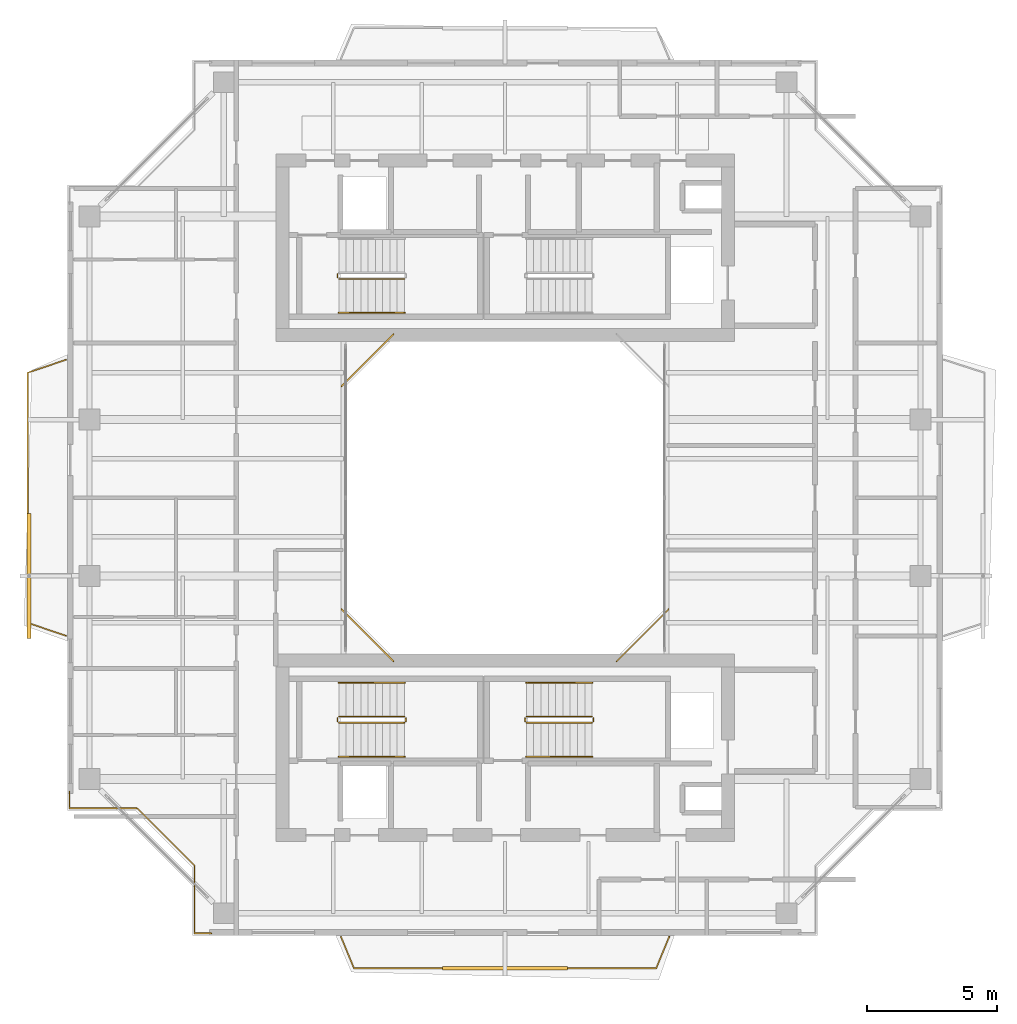
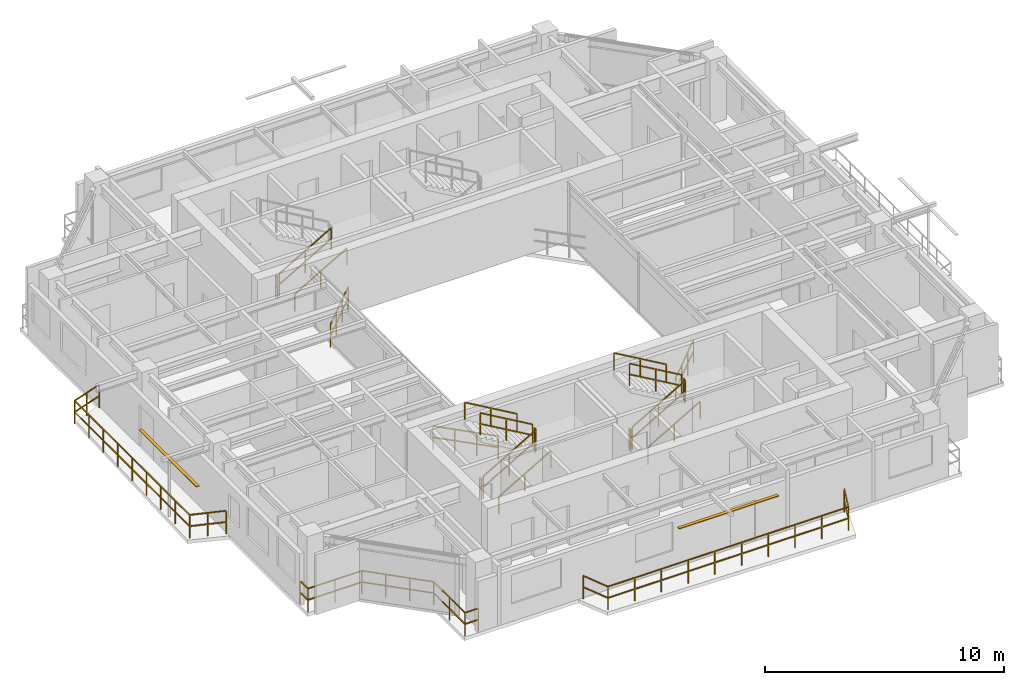
# One storey, part 14 of 16: 21 railings, 2 shading devices.
"""IFC4 building model written with IfcOpenShell, lengths in metres."""

from ifc_helpers import new_model, si_unit, direction, frame, origin, origin_2d, place, context, subcontext, project, spatial, rectangle, extrude, source, transform, mapped, material, material_profile, profile_set, type_object, element, save


model = new_model("IFC4")

# Units and contexts
model_context = context("Model", 3, precision=1e-05, world=origin(), true_north=direction((0.0, 1.0)))
body_context = subcontext(model_context, "Body", "Model", "MODEL_VIEW")
ifc_project = project(units=[si_unit("LENGTHUNIT", "METRE"), si_unit("AREAUNIT", "SQUARE_METRE"), si_unit("VOLUMEUNIT", "CUBIC_METRE"), si_unit("PLANEANGLEUNIT", "RADIAN"), si_unit("MASSUNIT", "GRAM", prefix="KILO"), si_unit("THERMODYNAMICTEMPERATUREUNIT", "KELVIN"), si_unit("POWERUNIT", "WATT")], contexts=[model_context])

# Site, building, storey
site_placement = place(None, origin())
site = spatial("IfcSite", under=ifc_project, at=site_placement, CompositionType="ELEMENT")
building_placement = place(site_placement, origin())
building = spatial("IfcBuilding", under=site, at=building_placement, Name="Qiaomeng Ring Towers", CompositionType="ELEMENT")
storey_placement = place(building_placement, frame((0.0, 0.0, 216.5)))
storey = spatial("IfcBuildingStorey", under=building, at=storey_placement, Name="L63", CompositionType="ELEMENT", Elevation=216.5)

# Railings
ifc_material_1 = material(Name="Low-E pale-green laminated safety glass", Category="glass")
railing_type_1 = type_object("IfcRailingType", Name="ARC-RL-BAL1", PredefinedType="BALUSTRADE", material=ifc_material_1)
railing_1_placement = place(storey_placement, frame((23.280029296875, 16.719970703125, 0.0)))
element("IfcRailing", 1, at=railing_1_placement, inside=storey, type_object=railing_type_1, Name="L63 Balustrade ARC-BAL-WELL1-L63-1", PredefinedType="BALUSTRADE", context=body_context, shape_type="SweptSolid", body=[
    extrude(rectangle(XDim=0.048095703125, YDim=0.048095703125, at=origin_2d()), frame((0.0, 0.0, 1.17578125), z_axis=(0.707106781187, 0.707106781187, 0.0), x_axis=(-0.707106781187, 0.707106781187, 0.0)), (0.0, 0.0, 1.0), 2.828369140625),
    extrude(rectangle(XDim=0.048095703125, YDim=0.048095703125, at=origin_2d()), frame((0.0, 0.0, 0.60009765625), z_axis=(0.707106781187, 0.707106781187, 0.0), x_axis=(-0.707106781187, 0.707106781187, 0.0)), (0.0, 0.0, 1.0), 2.828369140625),
    extrude(rectangle(XDim=0.0419921875, YDim=0.0419921875, at=origin_2d()), origin(), (0.0, 0.0, 1.0), 1.15185546875),
    extrude(rectangle(XDim=0.0419921875, YDim=0.0419921875, at=origin_2d()), frame((0.666748046875, 0.666748046875, 0.0)), (0.0, 0.0, 1.0), 1.15185546875),
    extrude(rectangle(XDim=0.0419921875, YDim=0.0419921875, at=origin_2d()), frame((1.333251953125, 1.333251953125, 0.0)), (0.0, 0.0, 1.0), 1.15185546875),
    extrude(rectangle(XDim=0.0419921875, YDim=0.0419921875, at=origin_2d()), frame((2.0, 2.0, 0.0)), (0.0, 0.0, 1.0), 1.15185546875),
])
railing_2_placement = place(storey_placement, frame((14.719970703125, 29.280029296875, 0.0)))
element("IfcRailing", 2, at=railing_2_placement, inside=storey, type_object=railing_type_1, Name="L63 Balustrade ARC-BAL-WELL1-L63-3", PredefinedType="BALUSTRADE", context=body_context, shape_type="SweptSolid", body=[
    extrude(rectangle(XDim=0.048095703125, YDim=0.048095703125, at=origin_2d()), frame((0.0, 0.0, 1.17578125), z_axis=(-0.707106781187, -0.707106781187, 0.0), x_axis=(0.707106781187, -0.707106781187, 0.0)), (0.0, 0.0, 1.0), 2.828369140625),
    extrude(rectangle(XDim=0.048095703125, YDim=0.048095703125, at=origin_2d()), frame((0.0, 0.0, 0.60009765625), z_axis=(-0.707106781187, -0.707106781187, 0.0), x_axis=(0.707106781187, -0.707106781187, 0.0)), (0.0, 0.0, 1.0), 2.828369140625),
    extrude(rectangle(XDim=0.0419921875, YDim=0.0419921875, at=origin_2d()), origin(), (0.0, 0.0, 1.0), 1.15185546875),
    extrude(rectangle(XDim=0.0419921875, YDim=0.0419921875, at=origin_2d()), frame((-0.666748046875, -0.666748046875, 0.0)), (0.0, 0.0, 1.0), 1.15185546875),
    extrude(rectangle(XDim=0.0419921875, YDim=0.0419921875, at=origin_2d()), frame((-1.333251953125, -1.333251953125, 0.0)), (0.0, 0.0, 1.0), 1.15185546875),
    extrude(rectangle(XDim=0.0419921875, YDim=0.0419921875, at=origin_2d()), frame((-2.0, -2.0, 0.0)), (0.0, 0.0, 1.0), 1.15185546875),
])
railing_3_placement = place(storey_placement, frame((12.719970703125, 18.719970703125, 0.0)))
element("IfcRailing", 3, at=railing_3_placement, inside=storey, type_object=railing_type_1, Name="L63 Balustrade ARC-BAL-WELL1-L63-4", PredefinedType="BALUSTRADE", context=body_context, shape_type="SweptSolid", body=[
    extrude(rectangle(XDim=0.048095703125, YDim=0.048095703125, at=origin_2d()), frame((0.0, 0.0, 1.17578125), z_axis=(0.707106781187, -0.707106781187, 0.0), x_axis=(0.707106781187, 0.707106781187, 0.0)), (0.0, 0.0, 1.0), 2.828369140625),
    extrude(rectangle(XDim=0.048095703125, YDim=0.048095703125, at=origin_2d()), frame((0.0, 0.0, 0.60009765625), z_axis=(0.707106781187, -0.707106781187, 0.0), x_axis=(0.707106781187, 0.707106781187, 0.0)), (0.0, 0.0, 1.0), 2.828369140625),
    extrude(rectangle(XDim=0.0419921875, YDim=0.0419921875, at=origin_2d()), origin(), (0.0, 0.0, 1.0), 1.15185546875),
    extrude(rectangle(XDim=0.0419921875, YDim=0.0419921875, at=origin_2d()), frame((0.666748046875, -0.666748046875, 0.0)), (0.0, 0.0, 1.0), 1.15185546875),
    extrude(rectangle(XDim=0.0419921875, YDim=0.0419921875, at=origin_2d()), frame((1.333251953125, -1.333251953125, 0.0)), (0.0, 0.0, 1.0), 1.15185546875),
    extrude(rectangle(XDim=0.0419921875, YDim=0.0419921875, at=origin_2d()), frame((2.0, -2.0, 0.0)), (0.0, 0.0, 1.0), 1.15185546875),
])
railing_4_placement = place(storey_placement, frame((2.280029296875, 11.72998046875, 0.0)))
element("IfcRailing", 4, at=railing_4_placement, inside=storey, type_object=railing_type_1, Name="L63 Balustrade ARC-BAL-NOTCH1-L63-SW", PredefinedType="BALUSTRADE", context=body_context, shape_type="SweptSolid", body=[
    extrude(rectangle(XDim=0.048095703125, YDim=0.048095703125, at=origin_2d()), frame((0.0, 0.0, 1.17578125), z_axis=(0.0, -1.0, 0.0), x_axis=(1.0, 0.0, 0.0)), (0.0, 0.0, 1.0), 0.64990234375),
    extrude(rectangle(XDim=0.048095703125, YDim=0.048095703125, at=origin_2d()), frame((0.0, 0.0, 0.60009765625), z_axis=(0.0, -1.0, 0.0), x_axis=(1.0, 0.0, 0.0)), (0.0, 0.0, 1.0), 0.64990234375),
    extrude(rectangle(XDim=0.048095703125, YDim=0.048095703125, at=origin_2d()), frame((0.0, -0.64990234375, 1.17578125), z_axis=(1.0, 0.0, 0.0), x_axis=(0.0, 1.0, 0.0)), (0.0, 0.0, 1.0), 2.599853515625),
    extrude(rectangle(XDim=0.048095703125, YDim=0.048095703125, at=origin_2d()), frame((0.0, -0.64990234375, 0.60009765625), z_axis=(1.0, 0.0, 0.0), x_axis=(0.0, 1.0, 0.0)), (0.0, 0.0, 1.0), 2.599853515625),
    extrude(rectangle(XDim=0.048095703125, YDim=0.048095703125, at=origin_2d()), frame((2.599853515625, -0.64990234375, 1.17578125), z_axis=(0.707106781187, -0.707106781187, 0.0), x_axis=(0.707106781187, 0.707106781187, 0.0)), (0.0, 0.0, 1.0), 3.111572265625),
    extrude(rectangle(XDim=0.048095703125, YDim=0.048095703125, at=origin_2d()), frame((2.599853515625, -0.64990234375, 0.60009765625), z_axis=(0.707106781187, -0.707106781187, 0.0), x_axis=(0.707106781187, 0.707106781187, 0.0)), (0.0, 0.0, 1.0), 3.111572265625),
    extrude(rectangle(XDim=0.048095703125, YDim=0.048095703125, at=origin_2d()), frame((4.800048828125, -2.85009765625, 1.17578125), z_axis=(0.0, -1.0, 0.0), x_axis=(1.0, 0.0, 0.0)), (0.0, 0.0, 1.0), 2.599853515625),
    extrude(rectangle(XDim=0.048095703125, YDim=0.048095703125, at=origin_2d()), frame((4.800048828125, -2.85009765625, 0.60009765625), z_axis=(0.0, -1.0, 0.0), x_axis=(1.0, 0.0, 0.0)), (0.0, 0.0, 1.0), 2.599853515625),
    extrude(rectangle(XDim=0.048095703125, YDim=0.048095703125, at=origin_2d()), frame((4.800048828125, -5.449951171875, 1.17578125), z_axis=(1.0, 0.0, 0.0), x_axis=(0.0, 1.0, 0.0)), (0.0, 0.0, 1.0), 0.64990234375),
    extrude(rectangle(XDim=0.048095703125, YDim=0.048095703125, at=origin_2d()), frame((4.800048828125, -5.449951171875, 0.60009765625), z_axis=(1.0, 0.0, 0.0), x_axis=(0.0, 1.0, 0.0)), (0.0, 0.0, 1.0), 0.64990234375),
    extrude(rectangle(XDim=0.0419921875, YDim=0.0419921875, at=origin_2d()), origin(), (0.0, 0.0, 1.0), 1.15185546875),
    extrude(rectangle(XDim=0.0419921875, YDim=0.0419921875, at=origin_2d()), frame((0.0, -0.64990234375, 0.0)), (0.0, 0.0, 1.0), 1.15185546875),
    extrude(rectangle(XDim=0.0419921875, YDim=0.0419921875, at=origin_2d()), frame((1.2998046875, -0.64990234375, 0.0)), (0.0, 0.0, 1.0), 1.15185546875),
    extrude(rectangle(XDim=0.0419921875, YDim=0.0419921875, at=origin_2d()), frame((2.599853515625, -0.64990234375, 0.0)), (0.0, 0.0, 1.0), 1.15185546875),
    extrude(rectangle(XDim=0.0419921875, YDim=0.0419921875, at=origin_2d()), frame((3.333251953125, -1.38330078125, 0.0)), (0.0, 0.0, 1.0), 1.15185546875),
    extrude(rectangle(XDim=0.0419921875, YDim=0.0419921875, at=origin_2d()), frame((4.066650390625, -2.11669921875, 0.0)), (0.0, 0.0, 1.0), 1.15185546875),
    extrude(rectangle(XDim=0.0419921875, YDim=0.0419921875, at=origin_2d()), frame((4.800048828125, -2.85009765625, 0.0)), (0.0, 0.0, 1.0), 1.15185546875),
    extrude(rectangle(XDim=0.0419921875, YDim=0.0419921875, at=origin_2d()), frame((4.800048828125, -4.14990234375, 0.0)), (0.0, 0.0, 1.0), 1.15185546875),
    extrude(rectangle(XDim=0.0419921875, YDim=0.0419921875, at=origin_2d()), frame((4.800048828125, -5.449951171875, 0.0)), (0.0, 0.0, 1.0), 1.15185546875),
    extrude(rectangle(XDim=0.0419921875, YDim=0.0419921875, at=origin_2d()), frame((5.449951171875, -5.449951171875, 0.0)), (0.0, 0.0, 1.0), 1.15185546875),
])
railing_5_placement = place(storey_placement, frame((12.699951171875, 6.14990234375, 0.0)))
element("IfcRailing", 5, at=railing_5_placement, inside=storey, type_object=railing_type_1, Name="L63 Balustrade ARC-BAL-L63-T1-S", PredefinedType="BALUSTRADE", context=body_context, shape_type="SweptSolid", body=[
    extrude(rectangle(XDim=0.048095703125, YDim=0.048095703125, at=origin_2d()), frame((0.0, 0.0, 1.17578125), z_axis=(0.381912525892, -0.924198475743, 0.0), x_axis=(0.924198475743, 0.381912525892, 0.0)), (0.0, 0.0, 1.0), 1.30908203125),
    extrude(rectangle(XDim=0.048095703125, YDim=0.048095703125, at=origin_2d()), frame((0.0, 0.0, 0.60009765625), z_axis=(0.381912525892, -0.924198475743, 0.0), x_axis=(0.924198475743, 0.381912525892, 0.0)), (0.0, 0.0, 1.0), 1.30908203125),
    extrude(rectangle(XDim=0.048095703125, YDim=0.048095703125, at=origin_2d()), frame((0.5, -1.2099609375, 1.17578125), z_axis=(1.0, 0.0, 0.0), x_axis=(0.0, 1.0, 0.0)), (0.0, 0.0, 1.0), 11.60009765625),
    extrude(rectangle(XDim=0.048095703125, YDim=0.048095703125, at=origin_2d()), frame((0.5, -1.2099609375, 0.60009765625), z_axis=(1.0, 0.0, 0.0), x_axis=(0.0, 1.0, 0.0)), (0.0, 0.0, 1.0), 11.60009765625),
    extrude(rectangle(XDim=0.048095703125, YDim=0.048095703125, at=origin_2d()), frame((12.10009765625, -1.2099609375, 1.17578125), z_axis=(0.381912525892, 0.924198475743, 0.0), x_axis=(-0.924198475743, 0.381912525892, 0.0)), (0.0, 0.0, 1.0), 1.30908203125),
    extrude(rectangle(XDim=0.048095703125, YDim=0.048095703125, at=origin_2d()), frame((12.10009765625, -1.2099609375, 0.60009765625), z_axis=(0.381912525892, 0.924198475743, 0.0), x_axis=(-0.924198475743, 0.381912525892, 0.0)), (0.0, 0.0, 1.0), 1.30908203125),
    extrude(rectangle(XDim=0.0419921875, YDim=0.0419921875, at=origin_2d()), origin(), (0.0, 0.0, 1.0), 1.15185546875),
    extrude(rectangle(XDim=0.0419921875, YDim=0.0419921875, at=origin_2d()), frame((0.5, -1.2099609375, 0.0)), (0.0, 0.0, 1.0), 1.15185546875),
    extrude(rectangle(XDim=0.0419921875, YDim=0.0419921875, at=origin_2d()), frame((1.788818359375, -1.2099609375, 0.0)), (0.0, 0.0, 1.0), 1.15185546875),
    extrude(rectangle(XDim=0.0419921875, YDim=0.0419921875, at=origin_2d()), frame((3.077880859375, -1.2099609375, 0.0)), (0.0, 0.0, 1.0), 1.15185546875),
    extrude(rectangle(XDim=0.0419921875, YDim=0.0419921875, at=origin_2d()), frame((4.36669921875, -1.2099609375, 0.0)), (0.0, 0.0, 1.0), 1.15185546875),
    extrude(rectangle(XDim=0.0419921875, YDim=0.0419921875, at=origin_2d()), frame((5.655517578125, -1.2099609375, 0.0)), (0.0, 0.0, 1.0), 1.15185546875),
    extrude(rectangle(XDim=0.0419921875, YDim=0.0419921875, at=origin_2d()), frame((6.944580078125, -1.2099609375, 0.0)), (0.0, 0.0, 1.0), 1.15185546875),
    extrude(rectangle(XDim=0.0419921875, YDim=0.0419921875, at=origin_2d()), frame((8.2333984375, -1.2099609375, 0.0)), (0.0, 0.0, 1.0), 1.15185546875),
    extrude(rectangle(XDim=0.0419921875, YDim=0.0419921875, at=origin_2d()), frame((9.522216796875, -1.2099609375, 0.0)), (0.0, 0.0, 1.0), 1.15185546875),
    extrude(rectangle(XDim=0.0419921875, YDim=0.0419921875, at=origin_2d()), frame((10.811279296875, -1.2099609375, 0.0)), (0.0, 0.0, 1.0), 1.15185546875),
    extrude(rectangle(XDim=0.0419921875, YDim=0.0419921875, at=origin_2d()), frame((12.10009765625, -1.2099609375, 0.0)), (0.0, 0.0, 1.0), 1.15185546875),
    extrude(rectangle(XDim=0.0419921875, YDim=0.0419921875, at=origin_2d()), frame((12.60009765625, 0.0, 0.0)), (0.0, 0.0, 1.0), 1.15185546875),
])
railing_6_placement = place(storey_placement, frame((2.14990234375, 17.699951171875, 0.0)))
element("IfcRailing", 6, at=railing_6_placement, inside=storey, type_object=railing_type_1, Name="L63 Balustrade ARC-BAL-L63-T1-W", PredefinedType="BALUSTRADE", context=body_context, shape_type="SweptSolid", body=[
    extrude(rectangle(XDim=0.048095703125, YDim=0.048095703125, at=origin_2d()), frame((0.0, 0.0, 1.17578125), z_axis=(-0.946731524739, 0.322023943309, 0.0), x_axis=(-0.322023943309, -0.946731524739, 0.0)), (0.0, 0.0, 1.0), 1.552734375),
    extrude(rectangle(XDim=0.048095703125, YDim=0.048095703125, at=origin_2d()), frame((0.0, 0.0, 0.60009765625), z_axis=(-0.946731524739, 0.322023943309, 0.0), x_axis=(-0.322023943309, -0.946731524739, 0.0)), (0.0, 0.0, 1.0), 1.552734375),
    extrude(rectangle(XDim=0.048095703125, YDim=0.048095703125, at=origin_2d()), frame((-1.469970703125, 0.5, 1.17578125), z_axis=(0.0, 1.0, 0.0), x_axis=(-1.0, 0.0, 0.0)), (0.0, 0.0, 1.0), 9.60009765625),
    extrude(rectangle(XDim=0.048095703125, YDim=0.048095703125, at=origin_2d()), frame((-1.469970703125, 0.5, 0.60009765625), z_axis=(0.0, 1.0, 0.0), x_axis=(-1.0, 0.0, 0.0)), (0.0, 0.0, 1.0), 9.60009765625),
    extrude(rectangle(XDim=0.048095703125, YDim=0.048095703125, at=origin_2d()), frame((-1.469970703125, 10.10009765625, 1.17578125), z_axis=(0.946731524739, 0.322023943309, 0.0), x_axis=(-0.322023943309, 0.946731524739, 0.0)), (0.0, 0.0, 1.0), 1.552734375),
    extrude(rectangle(XDim=0.048095703125, YDim=0.048095703125, at=origin_2d()), frame((-1.469970703125, 10.10009765625, 0.60009765625), z_axis=(0.946731524739, 0.322023943309, 0.0), x_axis=(-0.322023943309, 0.946731524739, 0.0)), (0.0, 0.0, 1.0), 1.552734375),
    extrude(rectangle(XDim=0.0419921875, YDim=0.0419921875, at=origin_2d()), origin(), (0.0, 0.0, 1.0), 1.15185546875),
    extrude(rectangle(XDim=0.0419921875, YDim=0.0419921875, at=origin_2d()), frame((-0.73486328125, 0.25, 0.0)), (0.0, 0.0, 1.0), 1.15185546875),
    extrude(rectangle(XDim=0.0419921875, YDim=0.0419921875, at=origin_2d()), frame((-1.469970703125, 0.5, 0.0)), (0.0, 0.0, 1.0), 1.15185546875),
    extrude(rectangle(XDim=0.0419921875, YDim=0.0419921875, at=origin_2d()), frame((-1.469970703125, 1.699951171875, 0.0)), (0.0, 0.0, 1.0), 1.15185546875),
    extrude(rectangle(XDim=0.0419921875, YDim=0.0419921875, at=origin_2d()), frame((-1.469970703125, 2.89990234375, 0.0)), (0.0, 0.0, 1.0), 1.15185546875),
    extrude(rectangle(XDim=0.0419921875, YDim=0.0419921875, at=origin_2d()), frame((-1.469970703125, 4.10009765625, 0.0)), (0.0, 0.0, 1.0), 1.15185546875),
    extrude(rectangle(XDim=0.0419921875, YDim=0.0419921875, at=origin_2d()), frame((-1.469970703125, 5.300048828125, 0.0)), (0.0, 0.0, 1.0), 1.15185546875),
    extrude(rectangle(XDim=0.0419921875, YDim=0.0419921875, at=origin_2d()), frame((-1.469970703125, 6.5, 0.0)), (0.0, 0.0, 1.0), 1.15185546875),
    extrude(rectangle(XDim=0.0419921875, YDim=0.0419921875, at=origin_2d()), frame((-1.469970703125, 7.7001953125, 0.0)), (0.0, 0.0, 1.0), 1.15185546875),
    extrude(rectangle(XDim=0.0419921875, YDim=0.0419921875, at=origin_2d()), frame((-1.469970703125, 8.900146484375, 0.0)), (0.0, 0.0, 1.0), 1.15185546875),
    extrude(rectangle(XDim=0.0419921875, YDim=0.0419921875, at=origin_2d()), frame((-1.469970703125, 10.10009765625, 0.0)), (0.0, 0.0, 1.0), 1.15185546875),
    extrude(rectangle(XDim=0.0419921875, YDim=0.0419921875, at=origin_2d()), frame((-0.73486328125, 10.35009765625, 0.0)), (0.0, 0.0, 1.0), 1.15185546875),
    extrude(rectangle(XDim=0.0419921875, YDim=0.0419921875, at=origin_2d()), frame((0.0, 10.60009765625, 0.0)), (0.0, 0.0, 1.0), 1.15185546875),
])
ifc_material_2 = material(Name="Galvanised steel", Category="steel")
railing_type_2 = type_object("IfcRailingType", Name="ARC-RL-GUARD", PredefinedType="GUARDRAIL", material=ifc_material_2)
railing_7_placement = place(storey_placement, frame((12.6201171875, 31.39990234375, 0.16259765625)))
element("IfcRailing", 7, at=railing_7_placement, inside=storey, type_object=railing_type_2, Name="L63 ST1 stair guard 1", PredefinedType="GUARDRAIL", context=body_context, shape_type="SweptSolid", body=[
    extrude(rectangle(XDim=0.048095703125, YDim=0.048095703125, at=origin_2d()), frame((0.0, 0.0, 1.1259765625), z_axis=(0.864892226395, 0.0, 0.501957604506), x_axis=(0.0, 1.0, 0.0)), (0.0, 0.0, 1.0), 2.913330078125),
    extrude(rectangle(XDim=0.048095703125, YDim=0.048095703125, at=origin_2d()), frame((0.0, 0.0, 0.574951171875), z_axis=(0.864892226395, 0.0, 0.501957604506), x_axis=(0.0, 1.0, 0.0)), (0.0, 0.0, 1.0), 2.913330078125),
    extrude(rectangle(XDim=0.0419921875, YDim=0.0419921875, at=origin_2d()), origin(), (0.0, 0.0, 1.0), 1.101806640625),
    extrude(rectangle(XDim=0.0419921875, YDim=0.0419921875, at=origin_2d()), frame((1.259765625, 0.0, 0.731201171875)), (0.0, 0.0, 1.0), 1.101806640625),
    extrude(rectangle(XDim=0.0419921875, YDim=0.0419921875, at=origin_2d()), frame((2.519775390625, 0.0, 1.46240234375)), (0.0, 0.0, 1.0), 1.101806640625),
])
railing_8_placement = place(storey_placement, frame((12.570068359375, 31.449951171875, 0.0)))
element("IfcRailing", 8, at=railing_8_placement, inside=storey, type_object=railing_type_2, Name="L63 ST1 stair guard 4", PredefinedType="GUARDRAIL", context=body_context, shape_type="SweptSolid", body=[
    extrude(rectangle(XDim=0.048095703125, YDim=0.048095703125, at=origin_2d()), frame((0.0, 0.0, 1.1259765625), z_axis=(0.0, 1.0, 0.0), x_axis=(-1.0, 0.0, 0.0)), (0.0, 0.0, 1.0), 0.14013671875),
    extrude(rectangle(XDim=0.048095703125, YDim=0.048095703125, at=origin_2d()), frame((0.0, 0.0, 0.574951171875), z_axis=(0.0, 1.0, 0.0), x_axis=(-1.0, 0.0, 0.0)), (0.0, 0.0, 1.0), 0.14013671875),
    extrude(rectangle(XDim=0.0419921875, YDim=0.0419921875, at=origin_2d()), origin(), (0.0, 0.0, 1.0), 1.101806640625),
    extrude(rectangle(XDim=0.0419921875, YDim=0.0419921875, at=origin_2d()), frame((0.0, 0.14013671875, 0.0)), (0.0, 0.0, 1.0), 1.101806640625),
])
railing_9_placement = place(storey_placement, frame((12.6201171875, 14.360107421875, 0.16259765625)))
element("IfcRailing", 9, at=railing_9_placement, inside=storey, type_object=railing_type_2, Name="L63 ST3 stair guard 1", PredefinedType="GUARDRAIL", context=body_context, shape_type="SweptSolid", body=[
    extrude(rectangle(XDim=0.048095703125, YDim=0.048095703125, at=origin_2d()), frame((0.0, 0.0, 1.1259765625), z_axis=(0.864892226395, 0.0, 0.501957604506), x_axis=(0.0, 1.0, 0.0)), (0.0, 0.0, 1.0), 2.913330078125),
    extrude(rectangle(XDim=0.048095703125, YDim=0.048095703125, at=origin_2d()), frame((0.0, 0.0, 0.574951171875), z_axis=(0.864892226395, 0.0, 0.501957604506), x_axis=(0.0, 1.0, 0.0)), (0.0, 0.0, 1.0), 2.913330078125),
    extrude(rectangle(XDim=0.0419921875, YDim=0.0419921875, at=origin_2d()), origin(), (0.0, 0.0, 1.0), 1.101806640625),
    extrude(rectangle(XDim=0.0419921875, YDim=0.0419921875, at=origin_2d()), frame((1.259765625, 0.0, 0.731201171875)), (0.0, 0.0, 1.0), 1.101806640625),
    extrude(rectangle(XDim=0.0419921875, YDim=0.0419921875, at=origin_2d()), frame((2.519775390625, 0.0, 1.46240234375)), (0.0, 0.0, 1.0), 1.101806640625),
])
railing_10_placement = place(storey_placement, frame((15.18994140625, 14.409912109375, 1.625)))
element("IfcRailing", 10, at=railing_10_placement, inside=storey, type_object=railing_type_2, Name="L63 ST3 stair guard 2", PredefinedType="GUARDRAIL", context=body_context, shape_type="SweptSolid", body=[
    extrude(rectangle(XDim=0.048095703125, YDim=0.048095703125, at=origin_2d()), frame((0.0, 0.0, 1.1259765625), z_axis=(0.0, 1.0, 0.0), x_axis=(-1.0, 0.0, 0.0)), (0.0, 0.0, 1.0), 0.14013671875),
    extrude(rectangle(XDim=0.048095703125, YDim=0.048095703125, at=origin_2d()), frame((0.0, 0.0, 0.574951171875), z_axis=(0.0, 1.0, 0.0), x_axis=(-1.0, 0.0, 0.0)), (0.0, 0.0, 1.0), 0.14013671875),
    extrude(rectangle(XDim=0.0419921875, YDim=0.0419921875, at=origin_2d()), origin(), (0.0, 0.0, 1.0), 1.101806640625),
    extrude(rectangle(XDim=0.0419921875, YDim=0.0419921875, at=origin_2d()), frame((0.0, 0.14013671875, 0.0)), (0.0, 0.0, 1.0), 1.101806640625),
])
railing_11_placement = place(storey_placement, frame((15.139892578125, 14.60009765625, 1.78759765625)))
element("IfcRailing", 11, at=railing_11_placement, inside=storey, type_object=railing_type_2, Name="L63 ST3 stair guard 3", PredefinedType="GUARDRAIL", context=body_context, shape_type="SweptSolid", body=[
    extrude(rectangle(XDim=0.048095703125, YDim=0.048095703125, at=origin_2d()), frame((0.0, 0.0, 1.1259765625), z_axis=(-0.864892226395, 0.0, 0.501957604506), x_axis=(0.0, -1.0, 0.0)), (0.0, 0.0, 1.0), 2.913330078125),
    extrude(rectangle(XDim=0.048095703125, YDim=0.048095703125, at=origin_2d()), frame((0.0, 0.0, 0.574951171875), z_axis=(-0.864892226395, 0.0, 0.501957604506), x_axis=(0.0, -1.0, 0.0)), (0.0, 0.0, 1.0), 2.913330078125),
    extrude(rectangle(XDim=0.0419921875, YDim=0.0419921875, at=origin_2d()), origin(), (0.0, 0.0, 1.0), 1.101806640625),
    extrude(rectangle(XDim=0.0419921875, YDim=0.0419921875, at=origin_2d()), frame((-1.259765625, 0.0, 0.731201171875)), (0.0, 0.0, 1.0), 1.101806640625),
    extrude(rectangle(XDim=0.0419921875, YDim=0.0419921875, at=origin_2d()), frame((-2.519775390625, 0.0, 1.46240234375)), (0.0, 0.0, 1.0), 1.101806640625),
])
railing_12_placement = place(storey_placement, frame((12.570068359375, 14.409912109375, 0.0)))
element("IfcRailing", 12, at=railing_12_placement, inside=storey, type_object=railing_type_2, Name="L63 ST3 stair guard 4", PredefinedType="GUARDRAIL", context=body_context, shape_type="SweptSolid", body=[
    extrude(rectangle(XDim=0.048095703125, YDim=0.048095703125, at=origin_2d()), frame((0.0, 0.0, 1.1259765625), z_axis=(0.0, 1.0, 0.0), x_axis=(-1.0, 0.0, 0.0)), (0.0, 0.0, 1.0), 0.14013671875),
    extrude(rectangle(XDim=0.048095703125, YDim=0.048095703125, at=origin_2d()), frame((0.0, 0.0, 0.574951171875), z_axis=(0.0, 1.0, 0.0), x_axis=(-1.0, 0.0, 0.0)), (0.0, 0.0, 1.0), 0.14013671875),
    extrude(rectangle(XDim=0.0419921875, YDim=0.0419921875, at=origin_2d()), origin(), (0.0, 0.0, 1.0), 1.101806640625),
    extrude(rectangle(XDim=0.0419921875, YDim=0.0419921875, at=origin_2d()), frame((0.0, 0.14013671875, 0.0)), (0.0, 0.0, 1.0), 1.101806640625),
])
railing_13_placement = place(storey_placement, frame((19.820068359375, 14.360107421875, 0.16259765625)))
element("IfcRailing", 13, at=railing_13_placement, inside=storey, type_object=railing_type_2, Name="L63 ST4 stair guard 1", PredefinedType="GUARDRAIL", context=body_context, shape_type="SweptSolid", body=[
    extrude(rectangle(XDim=0.048095703125, YDim=0.048095703125, at=origin_2d()), frame((0.0, 0.0, 1.1259765625), z_axis=(0.864913338283, 0.0, 0.50192122615), x_axis=(0.0, 1.0, 0.0)), (0.0, 0.0, 1.0), 2.91357421875),
    extrude(rectangle(XDim=0.048095703125, YDim=0.048095703125, at=origin_2d()), frame((0.0, 0.0, 0.574951171875), z_axis=(0.864913338283, 0.0, 0.50192122615), x_axis=(0.0, 1.0, 0.0)), (0.0, 0.0, 1.0), 2.91357421875),
    extrude(rectangle(XDim=0.0419921875, YDim=0.0419921875, at=origin_2d()), origin(), (0.0, 0.0, 1.0), 1.101806640625),
    extrude(rectangle(XDim=0.0419921875, YDim=0.0419921875, at=origin_2d()), frame((1.260009765625, 0.0, 0.731201171875)), (0.0, 0.0, 1.0), 1.101806640625),
    extrude(rectangle(XDim=0.0419921875, YDim=0.0419921875, at=origin_2d()), frame((2.52001953125, 0.0, 1.46240234375)), (0.0, 0.0, 1.0), 1.101806640625),
])
railing_14_placement = place(storey_placement, frame((22.389892578125, 14.409912109375, 1.625)))
element("IfcRailing", 14, at=railing_14_placement, inside=storey, type_object=railing_type_2, Name="L63 ST4 stair guard 2", PredefinedType="GUARDRAIL", context=body_context, shape_type="SweptSolid", body=[
    extrude(rectangle(XDim=0.048095703125, YDim=0.048095703125, at=origin_2d()), frame((0.0, 0.0, 1.1259765625), z_axis=(0.0, 1.0, 0.0), x_axis=(-1.0, 0.0, 0.0)), (0.0, 0.0, 1.0), 0.14013671875),
    extrude(rectangle(XDim=0.048095703125, YDim=0.048095703125, at=origin_2d()), frame((0.0, 0.0, 0.574951171875), z_axis=(0.0, 1.0, 0.0), x_axis=(-1.0, 0.0, 0.0)), (0.0, 0.0, 1.0), 0.14013671875),
    extrude(rectangle(XDim=0.0419921875, YDim=0.0419921875, at=origin_2d()), origin(), (0.0, 0.0, 1.0), 1.101806640625),
    extrude(rectangle(XDim=0.0419921875, YDim=0.0419921875, at=origin_2d()), frame((0.0, 0.14013671875, 0.0)), (0.0, 0.0, 1.0), 1.101806640625),
])
railing_15_placement = place(storey_placement, frame((22.340087890625, 14.60009765625, 1.78759765625)))
element("IfcRailing", 15, at=railing_15_placement, inside=storey, type_object=railing_type_2, Name="L63 ST4 stair guard 3", PredefinedType="GUARDRAIL", context=body_context, shape_type="SweptSolid", body=[
    extrude(rectangle(XDim=0.048095703125, YDim=0.048095703125, at=origin_2d()), frame((0.0, 0.0, 1.1259765625), z_axis=(-0.864913338283, 0.0, 0.50192122615), x_axis=(0.0, -1.0, 0.0)), (0.0, 0.0, 1.0), 2.91357421875),
    extrude(rectangle(XDim=0.048095703125, YDim=0.048095703125, at=origin_2d()), frame((0.0, 0.0, 0.574951171875), z_axis=(-0.864913338283, 0.0, 0.50192122615), x_axis=(0.0, -1.0, 0.0)), (0.0, 0.0, 1.0), 2.91357421875),
    extrude(rectangle(XDim=0.0419921875, YDim=0.0419921875, at=origin_2d()), origin(), (0.0, 0.0, 1.0), 1.101806640625),
    extrude(rectangle(XDim=0.0419921875, YDim=0.0419921875, at=origin_2d()), frame((-1.260009765625, 0.0, 0.731201171875)), (0.0, 0.0, 1.0), 1.101806640625),
    extrude(rectangle(XDim=0.0419921875, YDim=0.0419921875, at=origin_2d()), frame((-2.52001953125, 0.0, 1.46240234375)), (0.0, 0.0, 1.0), 1.101806640625),
])
railing_16_placement = place(storey_placement, frame((19.77001953125, 14.409912109375, 0.0)))
element("IfcRailing", 16, at=railing_16_placement, inside=storey, type_object=railing_type_2, Name="L63 ST4 stair guard 4", PredefinedType="GUARDRAIL", context=body_context, shape_type="SweptSolid", body=[
    extrude(rectangle(XDim=0.048095703125, YDim=0.048095703125, at=origin_2d()), frame((0.0, 0.0, 1.1259765625), z_axis=(0.0, 1.0, 0.0), x_axis=(-1.0, 0.0, 0.0)), (0.0, 0.0, 1.0), 0.14013671875),
    extrude(rectangle(XDim=0.048095703125, YDim=0.048095703125, at=origin_2d()), frame((0.0, 0.0, 0.574951171875), z_axis=(0.0, 1.0, 0.0), x_axis=(-1.0, 0.0, 0.0)), (0.0, 0.0, 1.0), 0.14013671875),
    extrude(rectangle(XDim=0.0419921875, YDim=0.0419921875, at=origin_2d()), origin(), (0.0, 0.0, 1.0), 1.101806640625),
    extrude(rectangle(XDim=0.0419921875, YDim=0.0419921875, at=origin_2d()), frame((0.0, 0.14013671875, 0.0)), (0.0, 0.0, 1.0), 1.101806640625),
])
ifc_material_3 = material(Name="Stainless steel 316", Category="steel")
railing_type_3 = type_object("IfcRailingType", Name="ARC-RL-HAND", PredefinedType="HANDRAIL", material=ifc_material_3)
for number, where, name in (
    (17, (12.6201171875, 30.10009765625, 0.16259765625), "L63 ST1 stair handrail 1"),
    (18, (12.6201171875, 13.06005859375, 0.16259765625), "L63 ST3 stair handrail 1"),
):
    element("IfcRailing", number, at=place(storey_placement, frame(where)), inside=storey, type_object=railing_type_3, Name=name, PredefinedType="HANDRAIL", context=body_context, shape_type="SweptSolid", body=[
        extrude(rectangle(XDim=0.048095703125, YDim=0.048095703125, at=origin_2d()), frame((0.0, 0.0, 0.8759765625), z_axis=(0.864892226395, 0.0, 0.501957604506), x_axis=(0.0, 1.0, 0.0)), (0.0, 0.0, 1.0), 2.913330078125),
        extrude(rectangle(XDim=0.0419921875, YDim=0.0419921875, at=origin_2d()), origin(), (0.0, 0.0, 1.0), 0.851806640625),
        extrude(rectangle(XDim=0.0419921875, YDim=0.0419921875, at=origin_2d()), frame((1.259765625, 0.0, 0.731201171875)), (0.0, 0.0, 1.0), 0.851806640625),
        extrude(rectangle(XDim=0.0419921875, YDim=0.0419921875, at=origin_2d()), frame((2.519775390625, 0.0, 1.46240234375)), (0.0, 0.0, 1.0), 0.851806640625),
    ])
railing_17_placement = place(storey_placement, frame((15.139892578125, 15.89990234375, 1.78759765625)))
element("IfcRailing", 19, at=railing_17_placement, inside=storey, type_object=railing_type_3, Name="L63 ST3 stair handrail 2", PredefinedType="HANDRAIL", context=body_context, shape_type="SweptSolid", body=[
    extrude(rectangle(XDim=0.048095703125, YDim=0.048095703125, at=origin_2d()), frame((0.0, 0.0, 0.8759765625), z_axis=(-0.864892226395, 0.0, 0.501957604506), x_axis=(0.0, -1.0, 0.0)), (0.0, 0.0, 1.0), 2.913330078125),
    extrude(rectangle(XDim=0.0419921875, YDim=0.0419921875, at=origin_2d()), origin(), (0.0, 0.0, 1.0), 0.851806640625),
    extrude(rectangle(XDim=0.0419921875, YDim=0.0419921875, at=origin_2d()), frame((-1.259765625, 0.0, 0.731201171875)), (0.0, 0.0, 1.0), 0.851806640625),
    extrude(rectangle(XDim=0.0419921875, YDim=0.0419921875, at=origin_2d()), frame((-2.519775390625, 0.0, 1.46240234375)), (0.0, 0.0, 1.0), 0.851806640625),
])
railing_18_placement = place(storey_placement, frame((19.820068359375, 13.06005859375, 0.16259765625)))
element("IfcRailing", 20, at=railing_18_placement, inside=storey, type_object=railing_type_3, Name="L63 ST4 stair handrail 1", PredefinedType="HANDRAIL", context=body_context, shape_type="SweptSolid", body=[
    extrude(rectangle(XDim=0.048095703125, YDim=0.048095703125, at=origin_2d()), frame((0.0, 0.0, 0.8759765625), z_axis=(0.864913338283, 0.0, 0.50192122615), x_axis=(0.0, 1.0, 0.0)), (0.0, 0.0, 1.0), 2.91357421875),
    extrude(rectangle(XDim=0.0419921875, YDim=0.0419921875, at=origin_2d()), origin(), (0.0, 0.0, 1.0), 0.851806640625),
    extrude(rectangle(XDim=0.0419921875, YDim=0.0419921875, at=origin_2d()), frame((1.260009765625, 0.0, 0.731201171875)), (0.0, 0.0, 1.0), 0.851806640625),
    extrude(rectangle(XDim=0.0419921875, YDim=0.0419921875, at=origin_2d()), frame((2.52001953125, 0.0, 1.46240234375)), (0.0, 0.0, 1.0), 0.851806640625),
])
railing_19_placement = place(storey_placement, frame((22.340087890625, 15.89990234375, 1.78759765625)))
element("IfcRailing", 21, at=railing_19_placement, inside=storey, type_object=railing_type_3, Name="L63 ST4 stair handrail 2", PredefinedType="HANDRAIL", context=body_context, shape_type="SweptSolid", body=[
    extrude(rectangle(XDim=0.048095703125, YDim=0.048095703125, at=origin_2d()), frame((0.0, 0.0, 0.8759765625), z_axis=(-0.864913338283, 0.0, 0.50192122615), x_axis=(0.0, -1.0, 0.0)), (0.0, 0.0, 1.0), 2.91357421875),
    extrude(rectangle(XDim=0.0419921875, YDim=0.0419921875, at=origin_2d()), origin(), (0.0, 0.0, 1.0), 0.851806640625),
    extrude(rectangle(XDim=0.0419921875, YDim=0.0419921875, at=origin_2d()), frame((-1.260009765625, 0.0, 0.731201171875)), (0.0, 0.0, 1.0), 0.851806640625),
    extrude(rectangle(XDim=0.0419921875, YDim=0.0419921875, at=origin_2d()), frame((-2.52001953125, 0.0, 1.46240234375)), (0.0, 0.0, 1.0), 0.851806640625),
])

# Shading devices
ifc_material_4 = material(Name="Fluorocarbon dark-grey aluminium", Category="aluminium")
ifc_material_profile = material_profile(ifc_material_4, rectangle(XDim=0.14990234375, YDim=0.034912109375, at=origin_2d()), Name="LV BLADE 150x35")
ifc_profile_set = profile_set([ifc_material_profile], Name="Fluorocarbon dark-grey aluminium")
shading_device_type = type_object("IfcShadingDeviceType", Name="ARC-SHD-SUN", PredefinedType="AWNING", material=ifc_profile_set)
shared_shape = source(origin(), body_context, "Body", "SweptSolid", [
    extrude(rectangle(XDim=0.14990234375, YDim=0.034912109375, at=origin_2d()), origin(), (0.0, 0.0, 1.0), 4.7998046875),
])
for number, where, z_axis, x_axis, name in (
    (22, (16.60009765625, 4.93994140625, 2.969970703125), (1.0, 0.0, 0.0), (0.0, 1.0, 0.0), "L63 Ventilated Outer-Skin Sunshade S"),
    (23, (0.72998046875, 17.60009765625, 2.969970703125), (0.0, 1.0, 0.0), (-1.0, 0.0, 0.0), "L63 Ventilated Outer-Skin Sunshade W"),
):
    element("IfcShadingDevice", number, at=place(storey_placement, frame(where, z_axis=z_axis, x_axis=x_axis)), inside=storey, type_object=shading_device_type, Name=name, PredefinedType="AWNING", context=body_context, shape_type="MappedRepresentation", body=[
        mapped(shared_shape, transform((0.0, 0.0, 0.0), x_axis=(1.0, 0.0, 0.0), y_axis=(0.0, 1.0, 0.0), z_axis=(0.0, 0.0, 1.0), scale=1.0)),
    ])

save(model, "model.ifc")
